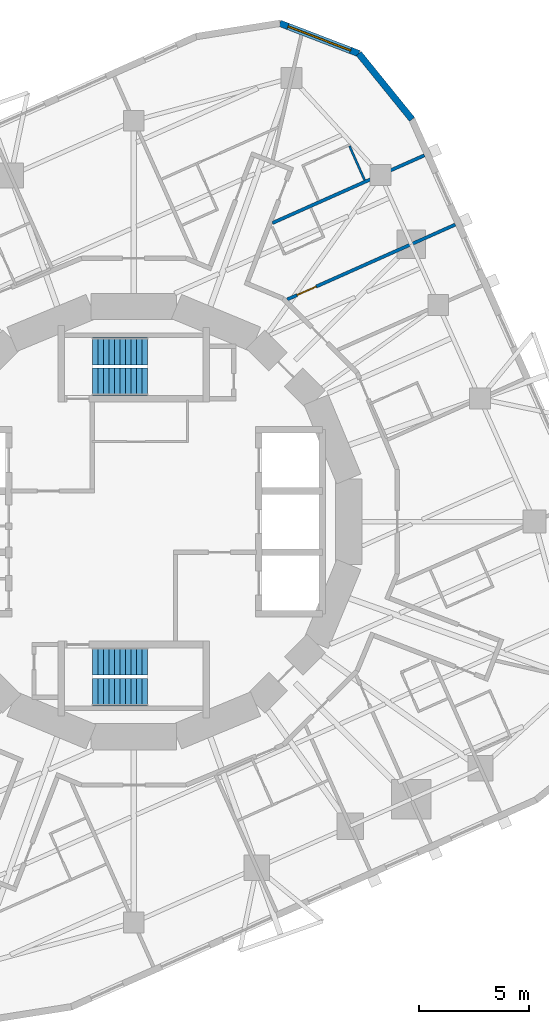
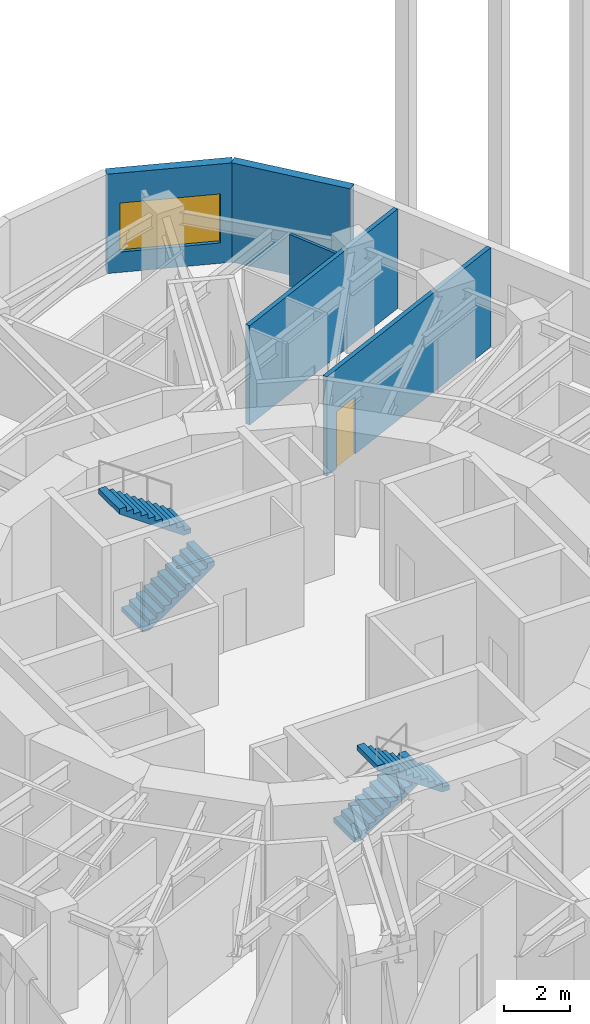
# One storey, part 10 of 11: 5 walls, 4 stair flights, 1 door, 1 window, 2 openings, 2 elements without a shape of their own.
"""IFC4 building model written with IfcOpenShell, lengths in metres."""

from ifc_helpers import new_model, si_unit, direction, frame, frame_2d, origin, place, context, subcontext, project, spatial, polyline, rectangle, outline, extrude, material, layer, layer_set, type_object, element, fill, aggregate, save


model = new_model("IFC4")

# Units and contexts
model_context = context("Model", 3, precision=1e-05, world=origin(), true_north=direction((0.0, 1.0)))
body_context = subcontext(model_context, "Body", "Model", "MODEL_VIEW")
ifc_project = project(units=[si_unit("LENGTHUNIT", "METRE"), si_unit("AREAUNIT", "SQUARE_METRE"), si_unit("VOLUMEUNIT", "CUBIC_METRE"), si_unit("PLANEANGLEUNIT", "RADIAN"), si_unit("MASSUNIT", "GRAM", prefix="KILO")], contexts=[model_context])

# Site, building, storey
site_placement = place(None, origin())
site = spatial("IfcSite", under=ifc_project, at=site_placement, CompositionType="ELEMENT")
building_placement = place(site_placement, origin())
building = spatial("IfcBuilding", under=site, at=building_placement, Name="Nakasero Lantern House", CompositionType="ELEMENT")
storey_placement = place(building_placement, frame((0.0, 0.0, 182.449951171875)))
storey = spatial("IfcBuildingStorey", under=building, at=storey_placement, Name="L44", CompositionType="ELEMENT", Elevation=182.449951171875)

# Walls
ifc_material_1 = material(Name="Blockwork", Category="masonry")
ifc_layer_1 = layer(ifc_material_1, 0.10009765625)
ifc_layer_set_1 = layer_set([ifc_layer_1], Name="En-suite wall 100")
wall_type_1 = type_object("IfcWallType", Name="En-suite wall 100", PredefinedType="PARTITIONING", material=ifc_layer_set_1)
wall_1_placement = place(storey_placement, frame((10.526123046875, 15.572265625, 0.0), z_axis=(0.0, 0.0, 1.0), x_axis=(-0.406724697108, 0.913550776237, 0.0)))
element("IfcWall", 1, at=wall_1_placement, inside=storey, type_object=wall_type_1, Name="En-suite wall L44 EE0-06", PredefinedType="PARTITIONING", context=body_context, shape_type="SweptSolid", body=[
    extrude(rectangle(XDim=1.699951171875, YDim=0.10009765625, at=frame_2d((0.85009765625, 0.0))), origin(), (0.0, 0.0, 1.0), 3.650146484375),
])
ifc_material_2 = material(Name="Aluminium rainscreen on blockwork", Category="masonry")
ifc_layer_2 = layer(ifc_material_2, 0.300048828125)
ifc_layer_set_2 = layer_set([ifc_layer_2], Name="Facade wall 300")
wall_type_2 = type_object("IfcWallType", Name="Facade wall 300", PredefinedType="SOLIDWALL", material=ifc_layer_set_2)
wall_2_placement = place(storey_placement, frame((12.684814453125, 18.345458984375, 0.0), z_axis=(0.0, 0.0, 1.0), x_axis=(-0.629285642335, 0.777174099125, 0.0)))
element("IfcWall", 2, at=wall_2_placement, inside=storey, type_object=wall_type_2, Name="Facade wall L44 FW0C1", PredefinedType="SOLIDWALL", context=body_context, shape_type="SweptSolid", body=[
    extrude(rectangle(XDim=3.8564453125, YDim=0.300048828125, at=frame_2d((1.92822265625, 0.0))), origin(), (0.0, 0.0, 1.0), 3.650146484375),
])

# Wall, opening, window
wall_3_placement = place(storey_placement, frame((10.258056640625, 21.342529296875, 0.0), z_axis=(0.0, 0.0, 1.0), x_axis=(-0.933598278948, 0.358321438858, 0.0)))
wall_3 = element("IfcWall", 3, at=wall_3_placement, inside=storey, type_object=wall_type_2, Name="Facade wall L44 FW0C2", PredefinedType="SOLIDWALL", context=body_context, shape_type="SweptSolid", body=[
    extrude(rectangle(XDim=3.8564453125, YDim=0.300048828125, at=frame_2d((1.92822265625, 0.0))), origin(), (0.0, 0.0, 1.0), 3.650146484375),
])
opening_1_placement = place(wall_3_placement, frame((0.39990234375, 0.0, 0.75)))
opening_1 = element("IfcOpeningElement", 4, at=opening_1_placement, cuts=wall_3, Name="Opening W230", PredefinedType="OPENING", context=body_context, shape_type="SweptSolid", body=[
    extrude(rectangle(XDim=3.055908203125, YDim=1.800048828125, at=frame_2d((1.52783203125, 0.89990234375))), frame((0.0, 0.169921875, 0.0), z_axis=(0.0, -1.0, 0.0), x_axis=(1.0, 0.0, 0.0)), (0.0, 0.0, 1.0), 0.340087890625),
])
ifc_material_3 = material(Name="Aluminium 6063-T6 and glass", Category="aluminium")
window_type = type_object("IfcWindowType", Name="Corner window 3056x1800", PartitioningType="SINGLE_PANEL", PredefinedType="WINDOW", material=ifc_material_3)
window_placement = place(opening_1_placement, origin())
window = element("IfcWindow", 5, at=window_placement, inside=storey, type_object=window_type, Name="Window L44 WC0", OverallHeight=1.800048828125, OverallWidth=3.055908203125, PartitioningType="SINGLE_PANEL", PredefinedType="WINDOW", context=body_context, shape_type="SweptSolid", body=[
    extrude(rectangle(XDim=3.055908203125, YDim=1.800048828125, at=frame_2d((1.52783203125, 0.89990234375))), frame((0.0, 0.030029296875, 0.0), z_axis=(0.0, -1.0, 0.0), x_axis=(1.0, 0.0, 0.0)), (0.0, 0.0, 1.0), 0.06005859375),
])
fill(opening_1, window)

# Wall, opening, door
ifc_material_4 = material(Name="Blockwork", Category="masonry")
ifc_layer_3 = layer(ifc_material_4, 0.14990234375)
ifc_layer_set_3 = layer_set([ifc_layer_3], Name="Party wall 150")
wall_type_3 = type_object("IfcWallType", Name="Party wall 150", PredefinedType="PARTITIONING", material=ifc_layer_set_3)
wall_4_placement = place(storey_placement, frame((6.99267578125, 10.130615234375, 0.0), z_axis=(0.0, 0.0, 1.0), x_axis=(0.913547411288, 0.406732255089, 0.0)))
wall_4 = element("IfcWall", 6, at=wall_4_placement, inside=storey, type_object=wall_type_3, Name="Party wall L44 PW0-05", PredefinedType="PARTITIONING", context=body_context, shape_type="SweptSolid", body=[
    extrude(rectangle(XDim=8.3916015625, YDim=0.14990234375, at=frame_2d((4.19580078125, 0.0))), origin(), (0.0, 0.0, 1.0), 3.650146484375),
])
opening_2_placement = place(wall_4_placement, frame((0.5, 0.0, 0.0)))
opening_2 = element("IfcOpeningElement", 7, at=opening_2_placement, cuts=wall_4, Name="Opening D01", PredefinedType="OPENING", context=body_context, shape_type="SweptSolid", body=[
    extrude(rectangle(XDim=0.949951171875, YDim=2.10009765625, at=frame_2d((0.47509765625, 1.050048828125))), frame((0.0, 0.094970703125, 0.0), z_axis=(0.0, -1.0, 0.0), x_axis=(1.0, 0.0, 0.0)), (0.0, 0.0, 1.0), 0.18994140625),
])
ifc_material_5 = material(Name="Timber C24", Category="wood")
door_type = type_object("IfcDoorType", Name="Bedroom door FD30S 950", OperationType="SINGLE_SWING_LEFT", PredefinedType="DOOR", material=ifc_material_5)
door_placement = place(opening_2_placement, origin())
door = element("IfcDoor", 8, at=door_placement, inside=storey, type_object=door_type, Name="Door L44 DS0-05", OperationType="SINGLE_SWING_LEFT", OverallHeight=2.10009765625, OverallWidth=0.949951171875, PredefinedType="DOOR", context=body_context, shape_type="SweptSolid", body=[
    extrude(rectangle(XDim=0.949951171875, YDim=2.10009765625, at=frame_2d((0.47509765625, 1.050048828125))), frame((0.0, 0.02490234375, 0.0), z_axis=(0.0, -1.0, 0.0), x_axis=(1.0, 0.0, 0.0)), (0.0, 0.0, 1.0), 0.050048828125),
])
fill(opening_2, door)

# Wall
wall_5_placement = place(storey_placement, frame((6.31982421875, 13.617431640625, 0.0), z_axis=(0.0, 0.0, 1.0), x_axis=(0.913549977472, 0.406726491221, 0.0)))
element("IfcWall", 9, at=wall_5_placement, inside=storey, type_object=wall_type_3, Name="Party wall L44 PW0-06", PredefinedType="PARTITIONING", context=body_context, shape_type="SweptSolid", body=[
    extrude(rectangle(XDim=7.587890625, YDim=0.14990234375, at=frame_2d((3.7939453125, 0.0))), origin(), (0.0, 0.0, 1.0), 3.650146484375),
])

# Stair, stair flights
ifc_material_6 = material(Name="Concrete C40/50", Category="concrete")
stair_type_1 = type_object("IfcStairType", Name="Escape stair ST1 22 risers", PredefinedType="HALF_TURN_STAIR", material=ifc_material_6)
stair_1_placement = place(storey_placement, origin())
stair_1 = element("IfcStair", 10, at=stair_1_placement, inside=storey, type_object=stair_type_1, Name="Escape stair ST1 L44", PredefinedType="HALF_TURN_STAIR")
ifc_material_7 = material(Name="Concrete C40/50", Category="concrete")
stair_flight_type = type_object("IfcStairFlightType", Name="Escape stair flight", PredefinedType="STRAIGHT", material=ifc_material_7)
stair_flight_1_placement = place(storey_placement, frame((-1.875, 6.375, 0.0), z_axis=(0.0, 0.0, 1.0), x_axis=(1.0, 0.0, 0.0)))
stair_flight_1 = element("IfcStairFlight", 11, at=stair_flight_1_placement, type_object=stair_flight_type, Name="ST1 flight 1", NumberOfRisers=11, NumberOfTreads=10, PredefinedType="STRAIGHT", RiserHeight=0.175, TreadLength=0.25, context=body_context, shape_type="SweptSolid", body=[
    extrude(outline(polyline([(0.0, 0.0), (0.0, 0.175048828125), (0.25, 0.175048828125), (0.25, 0.35009765625), (0.5, 0.35009765625), (0.5, 0.52490234375), (0.75, 0.52490234375), (0.75, 0.699951171875), (1.0, 0.699951171875), (1.0, 0.875), (1.25, 0.875), (1.25, 1.050048828125), (1.5, 1.050048828125), (1.5, 1.22509765625), (1.75, 1.22509765625), (1.75, 1.39990234375), (2.0, 1.39990234375), (2.0, 1.574951171875), (2.25, 1.574951171875), (2.25, 1.75), (2.5, 1.75), (2.5, 1.925048828125), (2.5, 1.567138671875), (0.261474609375, 0.0), (0.0, 0.0)])), frame((0.0, 0.625, 0.0), z_axis=(0.0, -1.0, 0.0), x_axis=(1.0, 0.0, 0.0)), (0.0, 0.0, 1.0), 1.25),
])
stair_flight_2_placement = place(storey_placement, frame((0.625, 7.77490234375, 1.925048828125), z_axis=(0.0, 0.0, 1.0), x_axis=(-1.0, 0.0, 0.0)))
stair_flight_2 = element("IfcStairFlight", 12, at=stair_flight_2_placement, type_object=stair_flight_type, Name="ST1 flight 2", NumberOfRisers=11, NumberOfTreads=10, PredefinedType="STRAIGHT", RiserHeight=0.175, TreadLength=0.25, context=body_context, shape_type="SweptSolid", body=[
    extrude(outline(polyline([(0.0, 0.0), (0.0, 0.175048828125), (0.25, 0.175048828125), (0.25, 0.35009765625), (0.5, 0.35009765625), (0.5, 0.52490234375), (0.75, 0.52490234375), (0.75, 0.699951171875), (1.0, 0.699951171875), (1.0, 0.875), (1.25, 0.875), (1.25, 1.050048828125), (1.5, 1.050048828125), (1.5, 1.22509765625), (1.75, 1.22509765625), (1.75, 1.39990234375), (2.0, 1.39990234375), (2.0, 1.574951171875), (2.25, 1.574951171875), (2.25, 1.75), (2.5, 1.75), (2.5, 1.925048828125), (2.5, 1.567138671875), (0.261474609375, 0.0), (0.0, 0.0)])), frame((0.0, 0.625, 0.0), z_axis=(0.0, -1.0, 0.0), x_axis=(1.0, 0.0, 0.0)), (0.0, 0.0, 1.0), 1.25),
])
aggregate(stair_1, [stair_flight_1, stair_flight_2])

ifc_material_8 = material(Name="Concrete C40/50", Category="concrete")
stair_type_2 = type_object("IfcStairType", Name="Escape stair ST2 22 risers", PredefinedType="HALF_TURN_STAIR", material=ifc_material_8)
stair_2_placement = place(storey_placement, origin())
stair_2 = element("IfcStair", 13, at=stair_2_placement, inside=storey, type_object=stair_type_2, Name="Escape stair ST2 L44", PredefinedType="HALF_TURN_STAIR")
stair_flight_3_placement = place(storey_placement, frame((-1.875, -6.375, 0.0), z_axis=(0.0, 0.0, 1.0), x_axis=(1.0, 0.0, 0.0)))
stair_flight_3 = element("IfcStairFlight", 14, at=stair_flight_3_placement, type_object=stair_flight_type, Name="ST2 flight 1", NumberOfRisers=11, NumberOfTreads=10, PredefinedType="STRAIGHT", RiserHeight=0.175, TreadLength=0.25, context=body_context, shape_type="SweptSolid", body=[
    extrude(outline(polyline([(0.0, 0.0), (0.0, 0.175048828125), (0.25, 0.175048828125), (0.25, 0.35009765625), (0.5, 0.35009765625), (0.5, 0.52490234375), (0.75, 0.52490234375), (0.75, 0.699951171875), (1.0, 0.699951171875), (1.0, 0.875), (1.25, 0.875), (1.25, 1.050048828125), (1.5, 1.050048828125), (1.5, 1.22509765625), (1.75, 1.22509765625), (1.75, 1.39990234375), (2.0, 1.39990234375), (2.0, 1.574951171875), (2.25, 1.574951171875), (2.25, 1.75), (2.5, 1.75), (2.5, 1.925048828125), (2.5, 1.567138671875), (0.261474609375, 0.0), (0.0, 0.0)])), frame((0.0, 0.625, 0.0), z_axis=(0.0, -1.0, 0.0), x_axis=(1.0, 0.0, 0.0)), (0.0, 0.0, 1.0), 1.25),
])
stair_flight_4_placement = place(storey_placement, frame((0.625, -7.77490234375, 1.925048828125), z_axis=(0.0, 0.0, 1.0), x_axis=(-1.0, 0.0, 0.0)))
stair_flight_4 = element("IfcStairFlight", 15, at=stair_flight_4_placement, type_object=stair_flight_type, Name="ST2 flight 2", NumberOfRisers=11, NumberOfTreads=10, PredefinedType="STRAIGHT", RiserHeight=0.175, TreadLength=0.25, context=body_context, shape_type="SweptSolid", body=[
    extrude(outline(polyline([(0.0, 0.0), (0.0, 0.175048828125), (0.25, 0.175048828125), (0.25, 0.35009765625), (0.5, 0.35009765625), (0.5, 0.52490234375), (0.75, 0.52490234375), (0.75, 0.699951171875), (1.0, 0.699951171875), (1.0, 0.875), (1.25, 0.875), (1.25, 1.050048828125), (1.5, 1.050048828125), (1.5, 1.22509765625), (1.75, 1.22509765625), (1.75, 1.39990234375), (2.0, 1.39990234375), (2.0, 1.574951171875), (2.25, 1.574951171875), (2.25, 1.75), (2.5, 1.75), (2.5, 1.925048828125), (2.5, 1.567138671875), (0.261474609375, 0.0), (0.0, 0.0)])), frame((0.0, 0.625, 0.0), z_axis=(0.0, -1.0, 0.0), x_axis=(1.0, 0.0, 0.0)), (0.0, 0.0, 1.0), 1.25),
])
aggregate(stair_2, [stair_flight_3, stair_flight_4])

save(model, "model.ifc")
